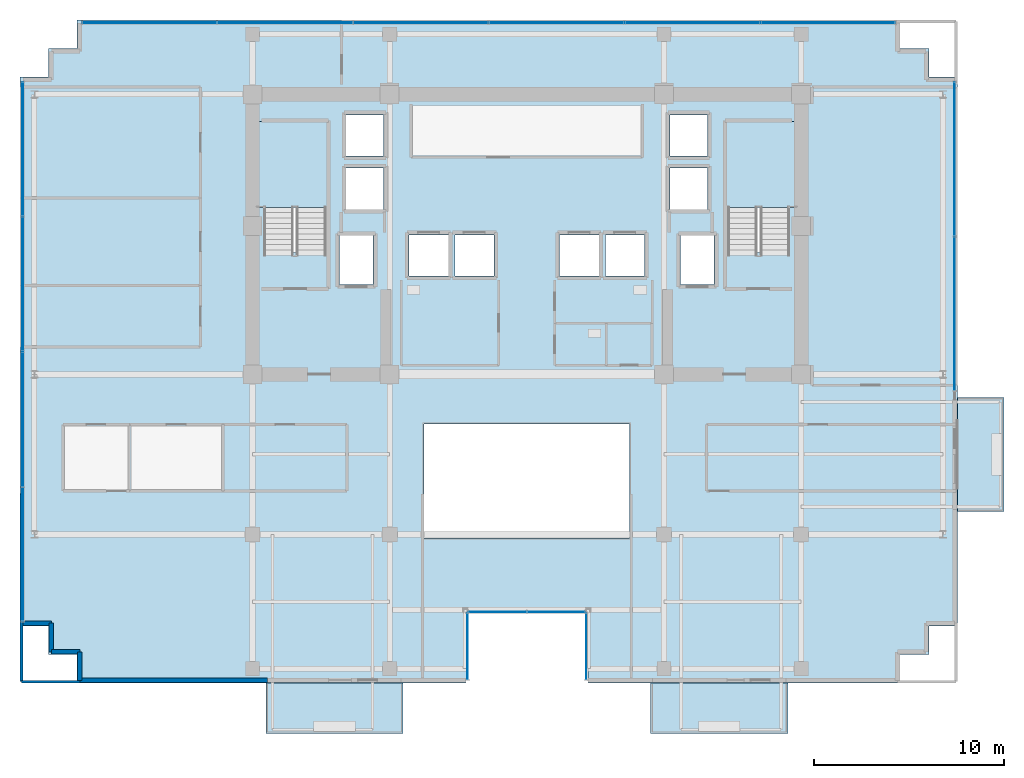
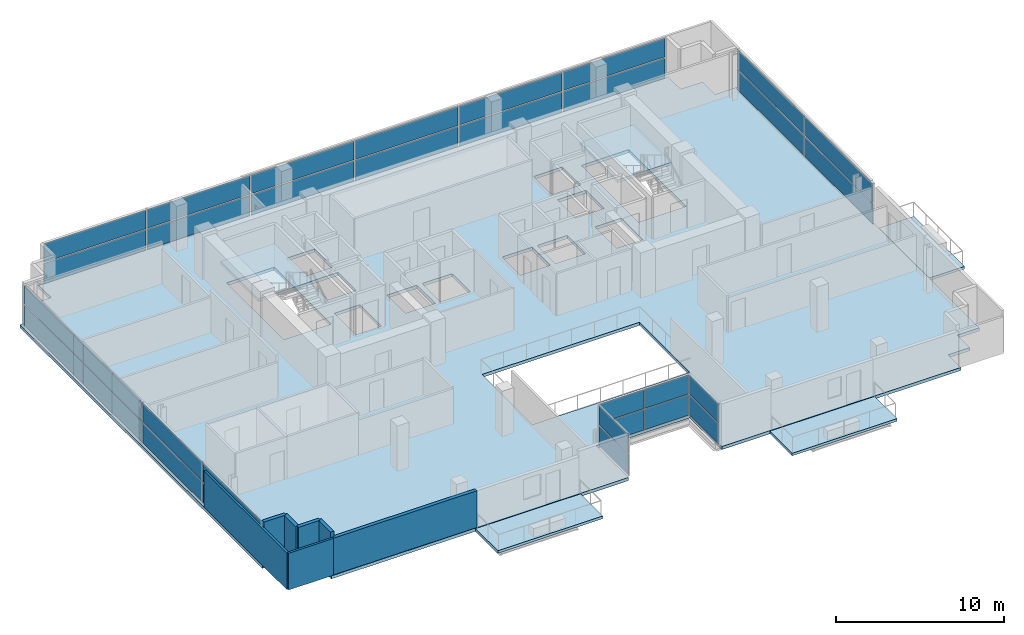
# One storey, part 17 of 25: 32 plates, 7 walls, 6 slabs, 8 elements without a shape of their own.
"""IFC4 building model written with IfcOpenShell, lengths in metres."""

from ifc_helpers import new_model, si_unit, direction, frame, frame_2d, origin, origin_2d, place, context, subcontext, project, spatial, polyline, rectangle, outline, extrude, source, transform, mapped, material, layer, layer_set, type_object, element, aggregate, save


model = new_model("IFC4")

# Units and contexts
model_context = context("Model", 3, precision=1e-05, world=origin(), true_north=direction((0.0, 1.0)))
body_context = subcontext(model_context, "Body", "Model", "MODEL_VIEW")
ifc_project = project(units=[si_unit("LENGTHUNIT", "METRE"), si_unit("AREAUNIT", "SQUARE_METRE"), si_unit("VOLUMEUNIT", "CUBIC_METRE"), si_unit("PLANEANGLEUNIT", "RADIAN"), si_unit("MASSUNIT", "GRAM", prefix="KILO")], contexts=[model_context])

# Site, building, storey
site_placement = place(None, origin())
site = spatial("IfcSite", under=ifc_project, at=site_placement, CompositionType="ELEMENT")
building_placement = place(site_placement, origin())
building = spatial("IfcBuilding", under=site, at=building_placement, Name="Zarnakvel Exchange Tower", CompositionType="ELEMENT")
storey_placement = place(building_placement, frame((0.0, 0.0, 162.699951171875)))
storey = spatial("IfcBuildingStorey", under=building, at=storey_placement, Name="L45", CompositionType="ELEMENT", Elevation=162.699951171875)

# Stair, slab
ifc_material_1 = material(Name="Concrete C40/50", Category="concrete")
stair_type = type_object("IfcStairType", Name="STR-01", PredefinedType="HALF_TURN_STAIR", material=ifc_material_1)
stair_1_placement = place(storey_placement, origin())
stair_1 = element("IfcStair", 1, at=stair_1_placement, inside=storey, type_object=stair_type, Name="L45 Protected Core Exit Stair ST-01", PredefinedType="HALF_TURN_STAIR")
ifc_layer_1 = layer(ifc_material_1, 0.199951171875)
ifc_layer_set_1 = layer_set([ifc_layer_1], Name="Concrete C40/50")
slab_type_1 = type_object("IfcSlabType", Name="LDG-01", PredefinedType="LANDING", material=ifc_layer_set_1)
slab_1_placement = place(storey_placement, frame((0.0, 0.0, 1.449951171875)))
slab_1 = element("IfcSlab", 2, at=slab_1_placement, type_object=slab_type_1, Name="ST-01 landing 1", PredefinedType="LANDING", context=body_context, shape_type="SweptSolid", body=[
    extrude(outline(polyline([(-14.18994140625, 7.570068359375), (-10.4599609375, 7.570068359375), (-10.4599609375, 12.080078125), (-14.18994140625, 12.080078125), (-14.18994140625, 7.570068359375)])), origin(), (0.0, 0.0, 1.0), 0.2001953125),
])
aggregate(stair_1, [slab_1])

stair_2_placement = place(storey_placement, origin())
stair_2 = element("IfcStair", 3, at=stair_2_placement, inside=storey, type_object=stair_type, Name="L45 Protected Core Exit Stair ST-02", PredefinedType="HALF_TURN_STAIR")
slab_2_placement = place(storey_placement, frame((0.0, 0.0, 1.449951171875)))
slab_2 = element("IfcSlab", 4, at=slab_2_placement, type_object=slab_type_1, Name="ST-02 landing 1", PredefinedType="LANDING", context=body_context, shape_type="SweptSolid", body=[
    extrude(outline(polyline([(10.4599609375, 7.570068359375), (14.18994140625, 7.570068359375), (14.18994140625, 12.080078125), (10.4599609375, 12.080078125), (10.4599609375, 7.570068359375)])), origin(), (0.0, 0.0, 1.0), 0.2001953125),
])
aggregate(stair_2, [slab_2])

# Slabs
ifc_layer_2 = layer(ifc_material_1, 0.22509765625)
ifc_layer_set_2 = layer_set([ifc_layer_2], Name="Concrete C40/50")
slab_type_2 = type_object("IfcSlabType", Name="SL-04", PredefinedType="FLOOR", material=ifc_layer_set_2)
slab_3_placement = place(storey_placement, frame((0.0, 0.0, -0.224853515625)))
element("IfcSlab", 5, at=slab_3_placement, inside=storey, type_object=slab_type_2, Name="L45 Primary Structural Floor Slab", PredefinedType="FLOOR", context=body_context, shape_type="SweptSolid", body=[
    extrude(outline(polyline([(-26.60009765625, -14.39990234375), (-25.10009765625, -14.39990234375), (-25.10009765625, -15.89990234375), (-23.60009765625, -15.89990234375), (-23.60009765625, -17.39990234375), (-3.199951171875, -17.39990234375), (-3.199951171875, -13.60009765625), (3.199951171875, -13.60009765625), (3.199951171875, -17.39990234375), (19.60009765625, -17.39990234375), (19.60009765625, -15.89990234375), (21.10009765625, -15.89990234375), (21.10009765625, -14.39990234375), (22.60009765625, -14.39990234375), (22.60009765625, 14.39990234375), (21.10009765625, 14.39990234375), (21.10009765625, 15.89990234375), (19.60009765625, 15.89990234375), (19.60009765625, 17.39990234375), (-23.60009765625, 17.39990234375), (-23.60009765625, 15.89990234375), (-25.10009765625, 15.89990234375), (-25.10009765625, 14.39990234375), (-26.60009765625, 14.39990234375), (-26.60009765625, -14.39990234375)]), holes=[polyline([(-5.39990234375, -9.800048828125), (5.39990234375, -9.800048828125), (5.39990234375, -3.800048828125), (-5.39990234375, -3.800048828125), (-5.39990234375, -9.800048828125)]), polyline([(-13.800048828125, 5.2099609375), (-10.5400390625, 5.2099609375), (-10.5400390625, 12.0), (-13.800048828125, 12.0), (-13.800048828125, 5.2099609375)]), polyline([(10.5400390625, 5.2099609375), (13.800048828125, 5.2099609375), (13.800048828125, 12.0), (10.5400390625, 12.0), (10.5400390625, 5.2099609375)]), polyline([(-9.830078125, 3.52001953125), (-8.070068359375, 3.52001953125), (-8.070068359375, 6.080078125), (-9.830078125, 6.080078125), (-9.830078125, 3.52001953125)]), polyline([(8.070068359375, 3.52001953125), (9.830078125, 3.52001953125), (9.830078125, 6.080078125), (8.070068359375, 6.080078125), (8.070068359375, 3.52001953125)]), polyline([(-6.179931640625, 3.969970703125), (-4.1201171875, 3.969970703125), (-4.1201171875, 6.1298828125), (-6.179931640625, 6.1298828125), (-6.179931640625, 3.969970703125)]), polyline([(-3.780029296875, 3.969970703125), (-1.719970703125, 3.969970703125), (-1.719970703125, 6.1298828125), (-3.780029296875, 6.1298828125), (-3.780029296875, 3.969970703125)]), polyline([(1.719970703125, 3.969970703125), (3.780029296875, 3.969970703125), (3.780029296875, 6.1298828125), (1.719970703125, 6.1298828125), (1.719970703125, 3.969970703125)]), polyline([(4.1201171875, 3.969970703125), (6.179931640625, 3.969970703125), (6.179931640625, 6.1298828125), (4.1201171875, 6.1298828125), (4.1201171875, 3.969970703125)]), polyline([(-9.47998046875, 7.469970703125), (-7.52001953125, 7.469970703125), (-7.52001953125, 9.6298828125), (-9.47998046875, 9.6298828125), (-9.47998046875, 7.469970703125)]), polyline([(-9.47998046875, 10.27001953125), (-7.52001953125, 10.27001953125), (-7.52001953125, 12.429931640625), (-9.47998046875, 12.429931640625), (-9.47998046875, 10.27001953125)]), polyline([(7.52001953125, 7.469970703125), (9.47998046875, 7.469970703125), (9.47998046875, 9.6298828125), (7.52001953125, 9.6298828125), (7.52001953125, 7.469970703125)]), polyline([(7.52001953125, 10.27001953125), (9.47998046875, 10.27001953125), (9.47998046875, 12.429931640625), (7.52001953125, 12.429931640625), (7.52001953125, 10.27001953125)])]), origin(), (0.0, 0.0, 1.0), 0.224853515625),
])
ifc_layer_3 = layer(ifc_material_1, 0.18994140625)
ifc_layer_set_3 = layer_set([ifc_layer_3], Name="Concrete C40/50")
slab_type_3 = type_object("IfcSlabType", Name="SL-08", PredefinedType="USERDEFINED", material=ifc_layer_set_3)
slab_4_placement = place(storey_placement, frame((0.0, 0.0, -0.224853515625)))
element("IfcSlab", 6, at=slab_4_placement, inside=storey, type_object=slab_type_3, Name="L45 Planted Loggia Balcony Slab BAL-L45-SW", ObjectType="BALCONY", PredefinedType="USERDEFINED", context=body_context, shape_type="SweptSolid", body=[
    extrude(outline(polyline([(-13.699951171875, -20.050048828125), (-6.5, -20.050048828125), (-6.5, -17.39990234375), (-13.699951171875, -17.39990234375), (-13.699951171875, -20.050048828125)])), origin(), (0.0, 0.0, 1.0), 0.18994140625),
])
slab_5_placement = place(storey_placement, frame((0.0, 0.0, -0.224853515625)))
element("IfcSlab", 7, at=slab_5_placement, inside=storey, type_object=slab_type_3, Name="L45 Planted Loggia Balcony Slab BAL-L45-SE", ObjectType="BALCONY", PredefinedType="USERDEFINED", context=body_context, shape_type="SweptSolid", body=[
    extrude(outline(polyline([(6.5, -20.050048828125), (13.699951171875, -20.050048828125), (13.699951171875, -17.39990234375), (6.5, -17.39990234375), (6.5, -20.050048828125)])), origin(), (0.0, 0.0, 1.0), 0.18994140625),
])
slab_6_placement = place(storey_placement, frame((0.0, 0.0, -0.224853515625)))
element("IfcSlab", 8, at=slab_6_placement, inside=storey, type_object=slab_type_3, Name="L45 Planted Loggia Balcony Slab BAL-L45-E", ObjectType="BALCONY", PredefinedType="USERDEFINED", context=body_context, shape_type="SweptSolid", body=[
    extrude(outline(polyline([(22.60009765625, -8.39990234375), (25.050048828125, -8.39990234375), (25.050048828125, -2.39990234375), (22.60009765625, -2.39990234375), (22.60009765625, -8.39990234375)])), origin(), (0.0, 0.0, 1.0), 0.18994140625),
])

# Curtain wall, plate
ifc_material_2 = material(Name="Architectural Bronze Anodised Aluminium", Category="aluminium")
ifc_layer_4 = layer(ifc_material_2, 0.179931640625)
ifc_layer_set_4 = layer_set([ifc_layer_4], Name="Architectural Bronze Anodised Aluminium")
curtain_wall_type_1 = type_object("IfcCurtainWallType", Name="CW-05", PredefinedType="NOTDEFINED", material=ifc_layer_set_4)
curtain_wall_1_placement = place(storey_placement, origin())
curtain_wall_1 = element("IfcCurtainWall", 9, at=curtain_wall_1_placement, inside=storey, type_object=curtain_wall_type_1, Name="L45 Curtain Wall CW-L45-SLW (CW-05)", PredefinedType="NOTDEFINED")
ifc_material_3 = material(Name="Double Low-E Laminated Vision Glass", Category="glass")
ifc_layer_5 = layer(ifc_material_3, 0.02587890625)
ifc_layer_set_5 = layer_set([ifc_layer_5], Name="Double Low-E Laminated Vision Glass")
plate_type_1 = type_object("IfcPlateType", Name="CWP-05", PredefinedType="CURTAIN_PANEL", material=ifc_layer_set_5)
shared_shape_1 = source(origin(), body_context, "Body", "SweptSolid", [
    extrude(rectangle(XDim=3.4599609375, YDim=0.02587890625, at=origin_2d()), origin(), (0.0, 0.0, 1.0), 1.483642578125),
])
plate_1_placement = place(storey_placement, frame((-3.1201171875, -15.47998046875, 0.06982421875), z_axis=(0.0, 0.0, 1.0), x_axis=(0.0, 1.0, 0.0)))
plate_1 = element("IfcPlate", 10, at=plate_1_placement, type_object=plate_type_1, Name="CW-05 panel 1.1", PredefinedType="CURTAIN_PANEL", context=body_context, shape_type="MappedRepresentation", body=[
    mapped(shared_shape_1, transform((0.0, 0.0, 0.0), x_axis=(1.0, 0.0, 0.0), y_axis=(0.0, 1.0, 0.0), z_axis=(0.0, 0.0, 1.0), scale=1.0)),
])

curtain_wall_2_placement = place(storey_placement, origin())
curtain_wall_2 = element("IfcCurtainWall", 11, at=curtain_wall_2_placement, inside=storey, type_object=curtain_wall_type_1, Name="L45 Curtain Wall CW-L45-SLE (CW-05)", PredefinedType="NOTDEFINED")
plate_2_placement = place(storey_placement, frame((3.1201171875, -15.47998046875, 0.06982421875), z_axis=(0.0, 0.0, 1.0), x_axis=(0.0, -1.0, 0.0)))
plate_2 = element("IfcPlate", 12, at=plate_2_placement, type_object=plate_type_1, Name="CW-05 panel 1.1", PredefinedType="CURTAIN_PANEL", context=body_context, shape_type="MappedRepresentation", body=[
    mapped(shared_shape_1, transform((0.0, 0.0, 0.0), x_axis=(1.0, 0.0, 0.0), y_axis=(0.0, 1.0, 0.0), z_axis=(0.0, 0.0, 1.0), scale=1.0)),
])

# Plate
shared_shape_2 = source(origin(), body_context, "Body", "SweptSolid", [
    extrude(rectangle(XDim=3.4599609375, YDim=0.02587890625, at=origin_2d()), origin(), (0.0, 0.0, 1.0), 1.361328125),
])
plate_3_placement = place(storey_placement, frame((-3.1201171875, -15.47998046875, 1.623779296875), z_axis=(0.0, 0.0, 1.0), x_axis=(0.0, 1.0, 0.0)))
plate_3 = element("IfcPlate", 13, at=plate_3_placement, type_object=plate_type_1, Name="CW-05 panel 1.2", PredefinedType="CURTAIN_PANEL", context=body_context, shape_type="MappedRepresentation", body=[
    mapped(shared_shape_2, transform((0.0, 0.0, 0.0), x_axis=(1.0, 0.0, 0.0), y_axis=(0.0, 1.0, 0.0), z_axis=(0.0, 0.0, 1.0), scale=1.0)),
])

aggregate(curtain_wall_1, [plate_1, plate_3])

plate_4_placement = place(storey_placement, frame((3.1201171875, -15.47998046875, 1.623779296875), z_axis=(0.0, 0.0, 1.0), x_axis=(0.0, -1.0, 0.0)))
plate_4 = element("IfcPlate", 14, at=plate_4_placement, type_object=plate_type_1, Name="CW-05 panel 1.2", PredefinedType="CURTAIN_PANEL", context=body_context, shape_type="MappedRepresentation", body=[
    mapped(shared_shape_2, transform((0.0, 0.0, 0.0), x_axis=(1.0, 0.0, 0.0), y_axis=(0.0, 1.0, 0.0), z_axis=(0.0, 0.0, 1.0), scale=1.0)),
])

aggregate(curtain_wall_2, [plate_2, plate_4])

# Curtain wall, plates
curtain_wall_3_placement = place(storey_placement, origin())
curtain_wall_3 = element("IfcCurtainWall", 15, at=curtain_wall_3_placement, inside=storey, type_object=curtain_wall_type_1, Name="L45 Curtain Wall CW-L45-SLB (CW-05)", PredefinedType="NOTDEFINED")
shared_shape_3 = source(origin(), body_context, "Body", "SweptSolid", [
    extrude(rectangle(XDim=3.014892578125, YDim=0.02587890625, at=origin_2d()), origin(), (0.0, 0.0, 1.0), 1.483642578125),
])
plate_5_placement = place(storey_placement, frame((-1.54248046875, -13.679931640625, 0.06982421875), z_axis=(0.0, 0.0, 1.0), x_axis=(1.0, 0.0, 0.0)))
plate_5 = element("IfcPlate", 16, at=plate_5_placement, type_object=plate_type_1, Name="CW-05 panel 1.1", PredefinedType="CURTAIN_PANEL", context=body_context, shape_type="MappedRepresentation", body=[
    mapped(shared_shape_3, transform((0.0, 0.0, 0.0), x_axis=(1.0, 0.0, 0.0), y_axis=(0.0, 1.0, 0.0), z_axis=(0.0, 0.0, 1.0), scale=1.0)),
])
plate_6_placement = place(storey_placement, frame((1.54248046875, -13.679931640625, 0.06982421875), z_axis=(0.0, 0.0, 1.0), x_axis=(1.0, 0.0, 0.0)))
plate_6 = element("IfcPlate", 17, at=plate_6_placement, type_object=plate_type_1, Name="CW-05 panel 2.1", PredefinedType="CURTAIN_PANEL", context=body_context, shape_type="MappedRepresentation", body=[
    mapped(shared_shape_3, transform((0.0, 0.0, 0.0), x_axis=(1.0, 0.0, 0.0), y_axis=(0.0, 1.0, 0.0), z_axis=(0.0, 0.0, 1.0), scale=1.0)),
])
shared_shape_4 = source(origin(), body_context, "Body", "SweptSolid", [
    extrude(rectangle(XDim=3.014892578125, YDim=0.02587890625, at=origin_2d()), origin(), (0.0, 0.0, 1.0), 1.361328125),
])
plate_7_placement = place(storey_placement, frame((-1.54248046875, -13.679931640625, 1.623779296875), z_axis=(0.0, 0.0, 1.0), x_axis=(1.0, 0.0, 0.0)))
plate_7 = element("IfcPlate", 18, at=plate_7_placement, type_object=plate_type_1, Name="CW-05 panel 1.2", PredefinedType="CURTAIN_PANEL", context=body_context, shape_type="MappedRepresentation", body=[
    mapped(shared_shape_4, transform((0.0, 0.0, 0.0), x_axis=(1.0, 0.0, 0.0), y_axis=(0.0, 1.0, 0.0), z_axis=(0.0, 0.0, 1.0), scale=1.0)),
])
plate_8_placement = place(storey_placement, frame((1.54248046875, -13.679931640625, 1.623779296875), z_axis=(0.0, 0.0, 1.0), x_axis=(1.0, 0.0, 0.0)))
plate_8 = element("IfcPlate", 19, at=plate_8_placement, type_object=plate_type_1, Name="CW-05 panel 2.2", PredefinedType="CURTAIN_PANEL", context=body_context, shape_type="MappedRepresentation", body=[
    mapped(shared_shape_4, transform((0.0, 0.0, 0.0), x_axis=(1.0, 0.0, 0.0), y_axis=(0.0, 1.0, 0.0), z_axis=(0.0, 0.0, 1.0), scale=1.0)),
])
aggregate(curtain_wall_3, [plate_5, plate_7, plate_6, plate_8])

ifc_layer_6 = layer(ifc_material_2, 0.219970703125)
ifc_layer_set_6 = layer_set([ifc_layer_6], Name="Architectural Bronze Anodised Aluminium")
curtain_wall_type_2 = type_object("IfcCurtainWallType", Name="CW-03", PredefinedType="NOTDEFINED", material=ifc_layer_set_6)
curtain_wall_4_placement = place(storey_placement, origin())
curtain_wall_4 = element("IfcCurtainWall", 20, at=curtain_wall_4_placement, inside=storey, type_object=curtain_wall_type_2, Name="L45 Curtain Wall CW-L45-N1 (CW-03)", PredefinedType="NOTDEFINED")
ifc_layer_7 = layer(ifc_material_3, 0.030029296875)
ifc_layer_set_7 = layer_set([ifc_layer_7], Name="Double Low-E Laminated Vision Glass")
plate_type_2 = type_object("IfcPlateType", Name="CWP-03", PredefinedType="CURTAIN_PANEL", material=ifc_layer_set_7)
shared_shape_5 = source(origin(), body_context, "Body", "SweptSolid", [
    extrude(rectangle(XDim=7.013427734375, YDim=0.030029296875, at=origin_2d()), origin(), (0.0, 0.0, 1.0), 1.468505859375),
])
plate_9_placement = place(storey_placement, frame((-19.813232421875, 17.260009765625, 0.080078125), z_axis=(0.0, 0.0, 1.0), x_axis=(1.0, 0.0, 0.0)))
plate_9 = element("IfcPlate", 21, at=plate_9_placement, type_object=plate_type_2, Name="CW-03 panel 1.1", PredefinedType="CURTAIN_PANEL", context=body_context, shape_type="MappedRepresentation", body=[
    mapped(shared_shape_5, transform((0.0, 0.0, 0.0), x_axis=(1.0, 0.0, 0.0), y_axis=(0.0, 1.0, 0.0), z_axis=(0.0, 0.0, 1.0), scale=1.0)),
])
plate_10_placement = place(storey_placement, frame((15.813232421875, 17.260009765625, 0.080078125), z_axis=(0.0, 0.0, 1.0), x_axis=(1.0, 0.0, 0.0)))
plate_10 = element("IfcPlate", 22, at=plate_10_placement, type_object=plate_type_2, Name="CW-03 panel 6.1", PredefinedType="CURTAIN_PANEL", context=body_context, shape_type="MappedRepresentation", body=[
    mapped(shared_shape_5, transform((0.0, 0.0, 0.0), x_axis=(1.0, 0.0, 0.0), y_axis=(0.0, 1.0, 0.0), z_axis=(0.0, 0.0, 1.0), scale=1.0)),
])
shared_shape_6 = source(origin(), body_context, "Body", "SweptSolid", [
    extrude(rectangle(XDim=7.013427734375, YDim=0.030029296875, at=origin_2d()), origin(), (0.0, 0.0, 1.0), 1.346435546875),
])
plate_11_placement = place(storey_placement, frame((-19.813232421875, 17.260009765625, 1.62841796875), z_axis=(0.0, 0.0, 1.0), x_axis=(1.0, 0.0, 0.0)))
plate_11 = element("IfcPlate", 23, at=plate_11_placement, type_object=plate_type_2, Name="CW-03 panel 1.2", PredefinedType="CURTAIN_PANEL", context=body_context, shape_type="MappedRepresentation", body=[
    mapped(shared_shape_6, transform((0.0, 0.0, 0.0), x_axis=(1.0, 0.0, 0.0), y_axis=(0.0, 1.0, 0.0), z_axis=(0.0, 0.0, 1.0), scale=1.0)),
])
plate_12_placement = place(storey_placement, frame((15.813232421875, 17.260009765625, 1.62841796875), z_axis=(0.0, 0.0, 1.0), x_axis=(1.0, 0.0, 0.0)))
plate_12 = element("IfcPlate", 24, at=plate_12_placement, type_object=plate_type_2, Name="CW-03 panel 6.2", PredefinedType="CURTAIN_PANEL", context=body_context, shape_type="MappedRepresentation", body=[
    mapped(shared_shape_6, transform((0.0, 0.0, 0.0), x_axis=(1.0, 0.0, 0.0), y_axis=(0.0, 1.0, 0.0), z_axis=(0.0, 0.0, 1.0), scale=1.0)),
])
shared_shape_7 = source(origin(), body_context, "Body", "SweptSolid", [
    extrude(rectangle(XDim=7.05322265625, YDim=0.030029296875, at=origin_2d()), origin(), (0.0, 0.0, 1.0), 1.468505859375),
])
plate_13_placement = place(storey_placement, frame((-12.699951171875, 17.260009765625, 0.080078125), z_axis=(0.0, 0.0, 1.0), x_axis=(1.0, 0.0, 0.0)))
plate_13 = element("IfcPlate", 25, at=plate_13_placement, type_object=plate_type_2, Name="CW-03 panel 2.1", PredefinedType="CURTAIN_PANEL", context=body_context, shape_type="MappedRepresentation", body=[
    mapped(shared_shape_7, transform((0.0, 0.0, 0.0), x_axis=(1.0, 0.0, 0.0), y_axis=(0.0, 1.0, 0.0), z_axis=(0.0, 0.0, 1.0), scale=1.0)),
])
plate_14_placement = place(storey_placement, frame((-5.566650390625, 17.260009765625, 0.080078125), z_axis=(0.0, 0.0, 1.0), x_axis=(1.0, 0.0, 0.0)))
plate_14 = element("IfcPlate", 26, at=plate_14_placement, type_object=plate_type_2, Name="CW-03 panel 3.1", PredefinedType="CURTAIN_PANEL", context=body_context, shape_type="MappedRepresentation", body=[
    mapped(shared_shape_7, transform((0.0, 0.0, 0.0), x_axis=(1.0, 0.0, 0.0), y_axis=(0.0, 1.0, 0.0), z_axis=(0.0, 0.0, 1.0), scale=1.0)),
])
plate_15_placement = place(storey_placement, frame((1.566650390625, 17.260009765625, 0.080078125), z_axis=(0.0, 0.0, 1.0), x_axis=(1.0, 0.0, 0.0)))
plate_15 = element("IfcPlate", 27, at=plate_15_placement, type_object=plate_type_2, Name="CW-03 panel 4.1", PredefinedType="CURTAIN_PANEL", context=body_context, shape_type="MappedRepresentation", body=[
    mapped(shared_shape_7, transform((0.0, 0.0, 0.0), x_axis=(1.0, 0.0, 0.0), y_axis=(0.0, 1.0, 0.0), z_axis=(0.0, 0.0, 1.0), scale=1.0)),
])
plate_16_placement = place(storey_placement, frame((8.699951171875, 17.260009765625, 0.080078125), z_axis=(0.0, 0.0, 1.0), x_axis=(1.0, 0.0, 0.0)))
plate_16 = element("IfcPlate", 28, at=plate_16_placement, type_object=plate_type_2, Name="CW-03 panel 5.1", PredefinedType="CURTAIN_PANEL", context=body_context, shape_type="MappedRepresentation", body=[
    mapped(shared_shape_7, transform((0.0, 0.0, 0.0), x_axis=(1.0, 0.0, 0.0), y_axis=(0.0, 1.0, 0.0), z_axis=(0.0, 0.0, 1.0), scale=1.0)),
])
shared_shape_8 = source(origin(), body_context, "Body", "SweptSolid", [
    extrude(rectangle(XDim=7.05322265625, YDim=0.030029296875, at=origin_2d()), origin(), (0.0, 0.0, 1.0), 1.346435546875),
])
plate_17_placement = place(storey_placement, frame((-12.699951171875, 17.260009765625, 1.62841796875), z_axis=(0.0, 0.0, 1.0), x_axis=(1.0, 0.0, 0.0)))
plate_17 = element("IfcPlate", 29, at=plate_17_placement, type_object=plate_type_2, Name="CW-03 panel 2.2", PredefinedType="CURTAIN_PANEL", context=body_context, shape_type="MappedRepresentation", body=[
    mapped(shared_shape_8, transform((0.0, 0.0, 0.0), x_axis=(1.0, 0.0, 0.0), y_axis=(0.0, 1.0, 0.0), z_axis=(0.0, 0.0, 1.0), scale=1.0)),
])
plate_18_placement = place(storey_placement, frame((-5.566650390625, 17.260009765625, 1.62841796875), z_axis=(0.0, 0.0, 1.0), x_axis=(1.0, 0.0, 0.0)))
plate_18 = element("IfcPlate", 30, at=plate_18_placement, type_object=plate_type_2, Name="CW-03 panel 3.2", PredefinedType="CURTAIN_PANEL", context=body_context, shape_type="MappedRepresentation", body=[
    mapped(shared_shape_8, transform((0.0, 0.0, 0.0), x_axis=(1.0, 0.0, 0.0), y_axis=(0.0, 1.0, 0.0), z_axis=(0.0, 0.0, 1.0), scale=1.0)),
])
plate_19_placement = place(storey_placement, frame((1.566650390625, 17.260009765625, 1.62841796875), z_axis=(0.0, 0.0, 1.0), x_axis=(1.0, 0.0, 0.0)))
plate_19 = element("IfcPlate", 31, at=plate_19_placement, type_object=plate_type_2, Name="CW-03 panel 4.2", PredefinedType="CURTAIN_PANEL", context=body_context, shape_type="MappedRepresentation", body=[
    mapped(shared_shape_8, transform((0.0, 0.0, 0.0), x_axis=(1.0, 0.0, 0.0), y_axis=(0.0, 1.0, 0.0), z_axis=(0.0, 0.0, 1.0), scale=1.0)),
])
plate_20_placement = place(storey_placement, frame((8.699951171875, 17.260009765625, 1.62841796875), z_axis=(0.0, 0.0, 1.0), x_axis=(1.0, 0.0, 0.0)))
plate_20 = element("IfcPlate", 32, at=plate_20_placement, type_object=plate_type_2, Name="CW-03 panel 5.2", PredefinedType="CURTAIN_PANEL", context=body_context, shape_type="MappedRepresentation", body=[
    mapped(shared_shape_8, transform((0.0, 0.0, 0.0), x_axis=(1.0, 0.0, 0.0), y_axis=(0.0, 1.0, 0.0), z_axis=(0.0, 0.0, 1.0), scale=1.0)),
])
aggregate(curtain_wall_4, [plate_9, plate_11, plate_13, plate_17, plate_14, plate_18, plate_15, plate_19, plate_16, plate_20, plate_10, plate_12])

ifc_layer_8 = layer(ifc_material_2, 0.199951171875)
ifc_layer_set_8 = layer_set([ifc_layer_8], Name="Architectural Bronze Anodised Aluminium")
curtain_wall_type_3 = type_object("IfcCurtainWallType", Name="CW-04", PredefinedType="NOTDEFINED", material=ifc_layer_set_8)
curtain_wall_5_placement = place(storey_placement, origin())
curtain_wall_5 = element("IfcCurtainWall", 33, at=curtain_wall_5_placement, inside=storey, type_object=curtain_wall_type_3, Name="L45 Curtain Wall CW-L45-EN (CW-04)", PredefinedType="NOTDEFINED")
ifc_layer_9 = layer(ifc_material_3, 0.028076171875)
ifc_layer_set_9 = layer_set([ifc_layer_9], Name="Double Low-E Laminated Vision Glass")
plate_type_3 = type_object("IfcPlateType", Name="CWP-04", PredefinedType="CURTAIN_PANEL", material=ifc_layer_set_9)
shared_shape_9 = source(origin(), body_context, "Body", "SweptSolid", [
    extrude(rectangle(XDim=8.03759765625, YDim=0.028076171875, at=origin_2d()), origin(), (0.0, 0.0, 1.0), 1.47607421875),
])
plate_21_placement = place(storey_placement, frame((22.4599609375, 1.99365234375, 0.074951171875), z_axis=(0.0, 0.0, 1.0), x_axis=(0.0, 1.0, 0.0)))
plate_21 = element("IfcPlate", 34, at=plate_21_placement, type_object=plate_type_3, Name="CW-04 panel 1.1", PredefinedType="CURTAIN_PANEL", context=body_context, shape_type="MappedRepresentation", body=[
    mapped(shared_shape_9, transform((0.0, 0.0, 0.0), x_axis=(1.0, 0.0, 0.0), y_axis=(0.0, 1.0, 0.0), z_axis=(0.0, 0.0, 1.0), scale=1.0)),
])
plate_22_placement = place(storey_placement, frame((22.4599609375, 10.106201171875, 0.074951171875), z_axis=(0.0, 0.0, 1.0), x_axis=(0.0, 1.0, 0.0)))
plate_22 = element("IfcPlate", 35, at=plate_22_placement, type_object=plate_type_3, Name="CW-04 panel 2.1", PredefinedType="CURTAIN_PANEL", context=body_context, shape_type="MappedRepresentation", body=[
    mapped(shared_shape_9, transform((0.0, 0.0, 0.0), x_axis=(1.0, 0.0, 0.0), y_axis=(0.0, 1.0, 0.0), z_axis=(0.0, 0.0, 1.0), scale=1.0)),
])
shared_shape_10 = source(origin(), body_context, "Body", "SweptSolid", [
    extrude(rectangle(XDim=8.03759765625, YDim=0.028076171875, at=origin_2d()), origin(), (0.0, 0.0, 1.0), 1.35400390625),
])
plate_23_placement = place(storey_placement, frame((22.4599609375, 1.99365234375, 1.6259765625), z_axis=(0.0, 0.0, 1.0), x_axis=(0.0, 1.0, 0.0)))
plate_23 = element("IfcPlate", 36, at=plate_23_placement, type_object=plate_type_3, Name="CW-04 panel 1.2", PredefinedType="CURTAIN_PANEL", context=body_context, shape_type="MappedRepresentation", body=[
    mapped(shared_shape_10, transform((0.0, 0.0, 0.0), x_axis=(1.0, 0.0, 0.0), y_axis=(0.0, 1.0, 0.0), z_axis=(0.0, 0.0, 1.0), scale=1.0)),
])
plate_24_placement = place(storey_placement, frame((22.4599609375, 10.106201171875, 1.6259765625), z_axis=(0.0, 0.0, 1.0), x_axis=(0.0, 1.0, 0.0)))
plate_24 = element("IfcPlate", 37, at=plate_24_placement, type_object=plate_type_3, Name="CW-04 panel 2.2", PredefinedType="CURTAIN_PANEL", context=body_context, shape_type="MappedRepresentation", body=[
    mapped(shared_shape_10, transform((0.0, 0.0, 0.0), x_axis=(1.0, 0.0, 0.0), y_axis=(0.0, 1.0, 0.0), z_axis=(0.0, 0.0, 1.0), scale=1.0)),
])
aggregate(curtain_wall_5, [plate_21, plate_23, plate_22, plate_24])

curtain_wall_6_placement = place(storey_placement, origin())
curtain_wall_6 = element("IfcCurtainWall", 38, at=curtain_wall_6_placement, inside=storey, type_object=curtain_wall_type_3, Name="L45 Curtain Wall CW-L45-W1 (CW-04)", PredefinedType="NOTDEFINED")
shared_shape_11 = source(origin(), body_context, "Body", "SweptSolid", [
    extrude(rectangle(XDim=6.987548828125, YDim=0.028076171875, at=origin_2d()), origin(), (0.0, 0.0, 1.0), 1.47607421875),
])
plate_25_placement = place(storey_placement, frame((-26.4599609375, -10.63134765625, 0.074951171875), z_axis=(0.0, 0.0, 1.0), x_axis=(0.0, 1.0, 0.0)))
plate_25 = element("IfcPlate", 39, at=plate_25_placement, type_object=plate_type_3, Name="CW-04 panel 1.1", PredefinedType="CURTAIN_PANEL", context=body_context, shape_type="MappedRepresentation", body=[
    mapped(shared_shape_11, transform((0.0, 0.0, 0.0), x_axis=(1.0, 0.0, 0.0), y_axis=(0.0, 1.0, 0.0), z_axis=(0.0, 0.0, 1.0), scale=1.0)),
])
plate_26_placement = place(storey_placement, frame((-26.4599609375, 10.63134765625, 0.074951171875), z_axis=(0.0, 0.0, 1.0), x_axis=(0.0, 1.0, 0.0)))
plate_26 = element("IfcPlate", 40, at=plate_26_placement, type_object=plate_type_3, Name="CW-04 panel 4.1", PredefinedType="CURTAIN_PANEL", context=body_context, shape_type="MappedRepresentation", body=[
    mapped(shared_shape_11, transform((0.0, 0.0, 0.0), x_axis=(1.0, 0.0, 0.0), y_axis=(0.0, 1.0, 0.0), z_axis=(0.0, 0.0, 1.0), scale=1.0)),
])
shared_shape_12 = source(origin(), body_context, "Body", "SweptSolid", [
    extrude(rectangle(XDim=6.987548828125, YDim=0.028076171875, at=origin_2d()), origin(), (0.0, 0.0, 1.0), 1.35400390625),
])
plate_27_placement = place(storey_placement, frame((-26.4599609375, -10.63134765625, 1.6259765625), z_axis=(0.0, 0.0, 1.0), x_axis=(0.0, 1.0, 0.0)))
plate_27 = element("IfcPlate", 41, at=plate_27_placement, type_object=plate_type_3, Name="CW-04 panel 1.2", PredefinedType="CURTAIN_PANEL", context=body_context, shape_type="MappedRepresentation", body=[
    mapped(shared_shape_12, transform((0.0, 0.0, 0.0), x_axis=(1.0, 0.0, 0.0), y_axis=(0.0, 1.0, 0.0), z_axis=(0.0, 0.0, 1.0), scale=1.0)),
])
plate_28_placement = place(storey_placement, frame((-26.4599609375, 10.63134765625, 1.6259765625), z_axis=(0.0, 0.0, 1.0), x_axis=(0.0, 1.0, 0.0)))
plate_28 = element("IfcPlate", 42, at=plate_28_placement, type_object=plate_type_3, Name="CW-04 panel 4.2", PredefinedType="CURTAIN_PANEL", context=body_context, shape_type="MappedRepresentation", body=[
    mapped(shared_shape_12, transform((0.0, 0.0, 0.0), x_axis=(1.0, 0.0, 0.0), y_axis=(0.0, 1.0, 0.0), z_axis=(0.0, 0.0, 1.0), scale=1.0)),
])
shared_shape_13 = source(origin(), body_context, "Body", "SweptSolid", [
    extrude(rectangle(XDim=7.02490234375, YDim=0.028076171875, at=origin_2d()), origin(), (0.0, 0.0, 1.0), 1.47607421875),
])
plate_29_placement = place(storey_placement, frame((-26.4599609375, -3.550048828125, 0.074951171875), z_axis=(0.0, 0.0, 1.0), x_axis=(0.0, 1.0, 0.0)))
plate_29 = element("IfcPlate", 43, at=plate_29_placement, type_object=plate_type_3, Name="CW-04 panel 2.1", PredefinedType="CURTAIN_PANEL", context=body_context, shape_type="MappedRepresentation", body=[
    mapped(shared_shape_13, transform((0.0, 0.0, 0.0), x_axis=(1.0, 0.0, 0.0), y_axis=(0.0, 1.0, 0.0), z_axis=(0.0, 0.0, 1.0), scale=1.0)),
])
plate_30_placement = place(storey_placement, frame((-26.4599609375, 3.550048828125, 0.074951171875), z_axis=(0.0, 0.0, 1.0), x_axis=(0.0, 1.0, 0.0)))
plate_30 = element("IfcPlate", 44, at=plate_30_placement, type_object=plate_type_3, Name="CW-04 panel 3.1", PredefinedType="CURTAIN_PANEL", context=body_context, shape_type="MappedRepresentation", body=[
    mapped(shared_shape_13, transform((0.0, 0.0, 0.0), x_axis=(1.0, 0.0, 0.0), y_axis=(0.0, 1.0, 0.0), z_axis=(0.0, 0.0, 1.0), scale=1.0)),
])
shared_shape_14 = source(origin(), body_context, "Body", "SweptSolid", [
    extrude(rectangle(XDim=7.02490234375, YDim=0.028076171875, at=origin_2d()), origin(), (0.0, 0.0, 1.0), 1.35400390625),
])
plate_31_placement = place(storey_placement, frame((-26.4599609375, -3.550048828125, 1.6259765625), z_axis=(0.0, 0.0, 1.0), x_axis=(0.0, 1.0, 0.0)))
plate_31 = element("IfcPlate", 45, at=plate_31_placement, type_object=plate_type_3, Name="CW-04 panel 2.2", PredefinedType="CURTAIN_PANEL", context=body_context, shape_type="MappedRepresentation", body=[
    mapped(shared_shape_14, transform((0.0, 0.0, 0.0), x_axis=(1.0, 0.0, 0.0), y_axis=(0.0, 1.0, 0.0), z_axis=(0.0, 0.0, 1.0), scale=1.0)),
])
plate_32_placement = place(storey_placement, frame((-26.4599609375, 3.550048828125, 1.6259765625), z_axis=(0.0, 0.0, 1.0), x_axis=(0.0, 1.0, 0.0)))
plate_32 = element("IfcPlate", 46, at=plate_32_placement, type_object=plate_type_3, Name="CW-04 panel 3.2", PredefinedType="CURTAIN_PANEL", context=body_context, shape_type="MappedRepresentation", body=[
    mapped(shared_shape_14, transform((0.0, 0.0, 0.0), x_axis=(1.0, 0.0, 0.0), y_axis=(0.0, 1.0, 0.0), z_axis=(0.0, 0.0, 1.0), scale=1.0)),
])
aggregate(curtain_wall_6, [plate_25, plate_27, plate_29, plate_31, plate_30, plate_32, plate_26, plate_28])

# Walls
ifc_material_4 = material(Name="Precast concrete C40/50", Category="concrete")
ifc_layer_10 = layer(ifc_material_4, 0.239990234375)
ifc_layer_set_10 = layer_set([ifc_layer_10], Name="Precast concrete C40/50")
wall_type_1 = type_object("IfcWallType", Name="EW-02", PredefinedType="SOLIDWALL", material=ifc_layer_set_10)
wall_1_placement = place(storey_placement, frame((-23.4599609375, -17.260009765625, 0.0), z_axis=(0.0, 0.0, 1.0), x_axis=(1.0, 0.0, 0.0)))
element("IfcWall", 47, at=wall_1_placement, inside=storey, type_object=wall_type_1, Name="L45 Exterior Precast Spandrel Wall EWC-L45-22 (EW-02)", PredefinedType="SOLIDWALL", context=body_context, shape_type="SweptSolid", body=[
    extrude(rectangle(XDim=9.85986328125, YDim=0.239990234375, at=frame_2d((4.929931640625, 0.0))), origin(), (0.0, 0.0, 1.0), 2.6650390625),
])
for number, where, z_axis, x_axis, name in (
    (48, (-23.4599609375, -15.760009765625, 0.0), (0.0, 0.0, 1.0), (0.0, -1.0, 0.0), "L45 Exterior Precast Spandrel Wall EWC-L45-23 (EW-02)"),
    (49, (-24.9599609375, -15.760009765625, 0.0), (0.0, 0.0, 1.0), (1.0, 0.0, 0.0), "L45 Exterior Precast Spandrel Wall EWC-L45-24 (EW-02)"),
    (50, (-24.9599609375, -14.260009765625, 0.0), (0.0, 0.0, 1.0), (0.0, -1.0, 0.0), "L45 Exterior Precast Spandrel Wall EWC-L45-25 (EW-02)"),
    (51, (-26.4599609375, -14.260009765625, 0.0), (0.0, 0.0, 1.0), (1.0, 0.0, 0.0), "L45 Exterior Precast Spandrel Wall EWC-L45-26 (EW-02)"),
):
    element("IfcWall", number, at=place(storey_placement, frame(where, z_axis=z_axis, x_axis=x_axis)), inside=storey, type_object=wall_type_1, Name=name, PredefinedType="SOLIDWALL", context=body_context, shape_type="SweptSolid", body=[
        extrude(rectangle(XDim=1.5, YDim=0.239990234375, at=frame_2d((0.75, 0.0))), origin(), (0.0, 0.0, 1.0), 3.074951171875),
    ])
ifc_material_5 = material(Name="Fire-Rated Gypsum Stud Partition", Category="gypsum")
ifc_layer_11 = layer(ifc_material_5, 0.14990234375)
ifc_layer_set_11 = layer_set([ifc_layer_11], Name="Fire-Rated Gypsum Stud Partition")
wall_type_2 = type_object("IfcWallType", Name="PT-01", PredefinedType="PARTITIONING", material=ifc_layer_set_11)
wall_2_placement = place(storey_placement, frame((-23.4599609375, -17.330078125, 0.0), z_axis=(0.0, 0.0, 1.0), x_axis=(-1.0, 0.0, 0.0)))
element("IfcWall", 52, at=wall_2_placement, inside=storey, type_object=wall_type_2, Name="L45 Partition Wall PWALL-L45-035 (PT-01)", PredefinedType="PARTITIONING", context=body_context, shape_type="SweptSolid", body=[
    extrude(rectangle(XDim=3.070068359375, YDim=0.14990234375, at=frame_2d((1.53515625, 0.0))), origin(), (0.0, 0.0, 1.0), 2.6650390625),
])
wall_3_placement = place(storey_placement, frame((-26.530029296875, -17.330078125, 0.0), z_axis=(0.0, 0.0, 1.0), x_axis=(0.0, 1.0, 0.0)))
element("IfcWall", 53, at=wall_3_placement, inside=storey, type_object=wall_type_2, Name="L45 Partition Wall PWALL-L45-036 (PT-01)", PredefinedType="PARTITIONING", context=body_context, shape_type="SweptSolid", body=[
    extrude(rectangle(XDim=9.85009765625, YDim=0.14990234375, at=frame_2d((4.925048828125, 0.0))), origin(), (0.0, 0.0, 1.0), 2.6650390625),
])

save(model, "model.ifc")
